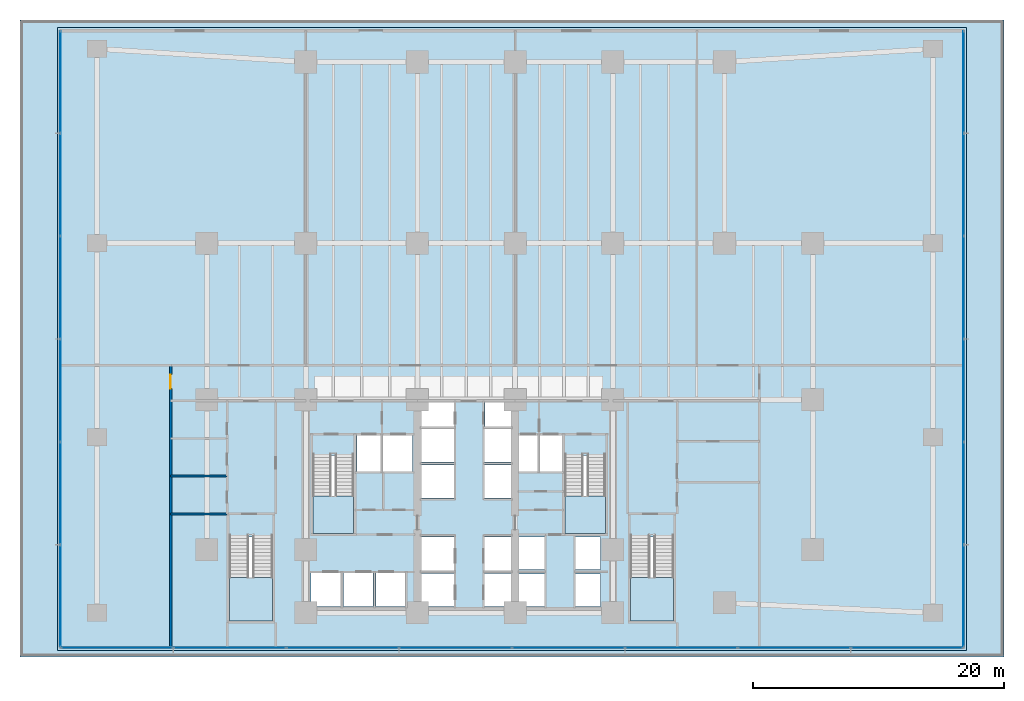
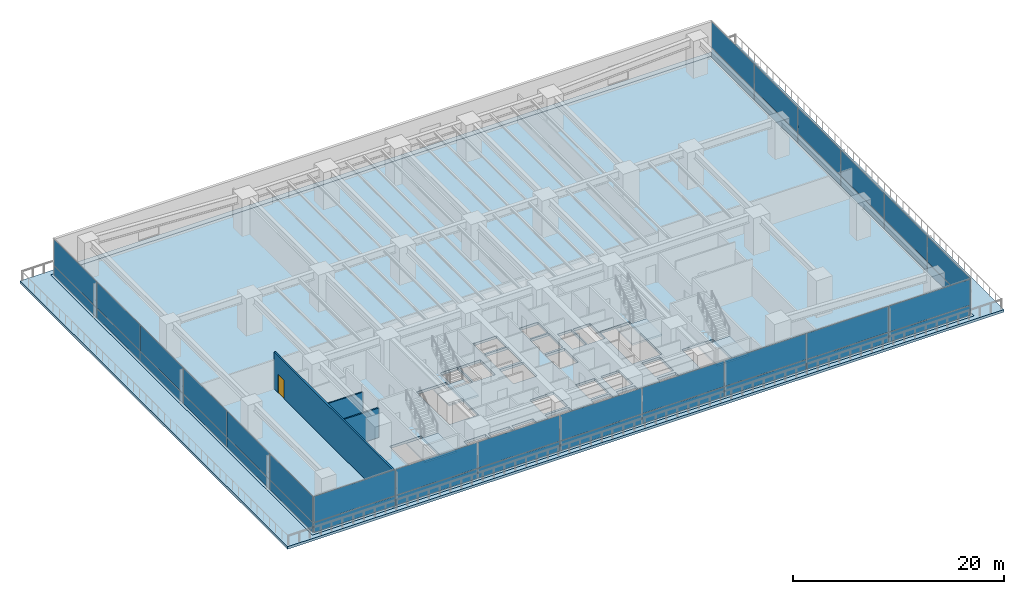
# One storey, part 9 of 28: 40 plates, 6 slabs, 3 walls, 1 door, 1 opening, 7 elements without a shape of their own.
"""IFC4 building model written with IfcOpenShell, lengths in metres."""

import ifcopenshell
import ifcopenshell.guid

model = None  # the IFC model being written
_history = None  # IfcOwnerHistory: only IFC2X3 demands one
_inside = {}  # id of a spatial element -> (the spatial element, [elements in it])
_under = {}  # id of a project, library or spatial element -> (it, [spatial elements below it])
_declared = {}  # id of a project -> (the project, [libraries it declares])
_typed = {}  # id of a type object -> (the type object, [elements of that type])
_made_of = {}  # id of a material, layer set ... -> (it, [elements and type objects made of it])


def new_model(schema):
    """Start an empty IFC model of exactly this schema.

    Asked for "IFC4X3", IfcOpenShell would pick the latest addendum, in which some entities
    have other attributes; the version numbers below select the first issue.
    IFC2X3 requires an IfcOwnerHistory on every rooted entity: one is made here for all.
    """
    global model, _history
    if schema == "IFC4X3":
        model = ifcopenshell.file(schema_version=(4, 3, 0, 0))
    else:
        model = ifcopenshell.file(schema=schema)
    _inside.clear()
    _under.clear()
    _declared.clear()
    _typed.clear()
    _made_of.clear()
    _history = None
    if model.schema == "IFC2X3":
        org = make("IfcOrganization", Name="unknown")
        user = make(
            "IfcPersonAndOrganization",
            ThePerson=make("IfcPerson", FamilyName="unknown"),
            TheOrganization=org,
        )
        app = make(
            "IfcApplication",
            ApplicationDeveloper=org,
            Version="unknown",
            ApplicationFullName="unknown",
            ApplicationIdentifier="unknown",
        )
        _history = make(
            "IfcOwnerHistory",
            OwningUser=user,
            OwningApplication=app,
            ChangeAction="ADDED",
            CreationDate=0,
        )
    return model


def make(cls, **values):
    """One entity of the class cls with the attributes given. An attribute that is None is left unset."""
    return model.create_entity(
        cls, **{name: value for name, value in values.items() if value is not None}
    )


def rooted(cls, **values):
    """An entity with a GlobalId (a new one), such as an element, a storey or a relation."""
    return make(cls, GlobalId=ifcopenshell.guid.new(), OwnerHistory=_history, **values)


def si_unit(unit_type, name, prefix=None):
    """IfcSIUnit, for example si_unit("LENGTHUNIT", "METRE", prefix="MILLI")."""
    return make("IfcSIUnit", UnitType=unit_type, Prefix=prefix, Name=name)


def assignment(units):
    """IfcUnitAssignment: the units of a project."""
    return None if units is None else make("IfcUnitAssignment", Units=units)


def point(xyz):
    """IfcCartesianPoint."""
    return None if xyz is None else make("IfcCartesianPoint", Coordinates=xyz)


def direction(xyz):
    """IfcDirection."""
    return None if xyz is None else make("IfcDirection", DirectionRatios=xyz)


def frame(location, z_axis=None, x_axis=None):
    """IfcAxis2Placement3D, a coordinate frame: its origin and axes. An axis left out is left unset."""
    return make(
        "IfcAxis2Placement3D",
        Location=point(location),
        Axis=direction(z_axis),
        RefDirection=direction(x_axis),
    )


def frame_2d(location, x_axis=None):
    """IfcAxis2Placement2D, a coordinate frame in the plane: its origin and x axis."""
    return make(
        "IfcAxis2Placement2D", Location=point(location), RefDirection=direction(x_axis)
    )


def origin():
    """The frame at (0, 0, 0) with its axes left unset."""
    return frame((0.0, 0.0, 0.0))


def origin_2d():
    """The frame at (0, 0) in the plane with its x axis left unset."""
    return frame_2d((0.0, 0.0))


def place(relative_to, where):
    """IfcLocalPlacement: puts the frame where relative to a parent placement (None: the world)."""
    return make(
        "IfcLocalPlacement", PlacementRelTo=relative_to, RelativePlacement=where
    )


def context(
    kind, dimensions, precision=None, world=None, true_north=None, identifier=None
):
    """IfcGeometricRepresentationContext, for example the 3D "Model" context."""
    return make(
        "IfcGeometricRepresentationContext",
        ContextIdentifier=identifier,
        ContextType=kind,
        CoordinateSpaceDimension=dimensions,
        Precision=precision,
        WorldCoordinateSystem=world,
        TrueNorth=true_north,
    )


def subcontext(parent, identifier, kind, view, scale=None):
    """IfcGeometricRepresentationSubContext, for example "Body" below "Model"."""
    return make(
        "IfcGeometricRepresentationSubContext",
        ContextIdentifier=identifier,
        ContextType=kind,
        ParentContext=parent,
        TargetScale=scale,
        TargetView=view,
    )


def project(units=None, contexts=None):
    """IfcProject with its units and contexts."""
    return rooted(
        "IfcProject",
        Name="project",
        RepresentationContexts=contexts,
        UnitsInContext=assignment(units),
    )


def spatial(cls, under=None, at=None, **own):
    """A site, building, storey or space (cls), placed at a placement, below another one or the project."""
    s = rooted(cls, ObjectPlacement=at, **own)
    if under is not None:
        _under.setdefault(under.id(), (under, []))[1].append(s)
    return s


def polyline(points):
    """IfcPolyline through the points."""
    return make("IfcPolyline", Points=[point(p) for p in points])


def profile(cls, at=None, kind="AREA", **sizes):
    """A parametric profile (cls). Its sizes go by their IFC names, for example OverallWidth=200.0."""
    return make(cls, ProfileType=kind, Position=at, **sizes)


def rectangle(**sizes):
    """IfcRectangleProfileDef."""
    return profile("IfcRectangleProfileDef", **sizes)


def outline(outer, holes=None, kind="AREA"):
    """IfcArbitraryClosedProfileDef: a profile drawn as a closed curve; with holes, ...WithVoids."""
    if holes is None:
        return make("IfcArbitraryClosedProfileDef", ProfileType=kind, OuterCurve=outer)
    return make(
        "IfcArbitraryProfileDefWithVoids",
        ProfileType=kind,
        OuterCurve=outer,
        InnerCurves=holes,
    )


def extrude(swept, where, along, depth):
    """IfcExtrudedAreaSolid: the profile swept, set in the frame where, extruded along a direction by depth."""
    return make(
        "IfcExtrudedAreaSolid",
        SweptArea=swept,
        Position=where,
        ExtrudedDirection=direction(along),
        Depth=depth,
    )


def shape(context_of_items, identifier, shape_type, items):
    """IfcShapeRepresentation: the items that make up one representation, for example the "Body"."""
    return make(
        "IfcShapeRepresentation",
        ContextOfItems=context_of_items,
        RepresentationIdentifier=identifier,
        RepresentationType=shape_type,
        Items=items,
    )


def material(Name=None, Category=None):
    """IfcMaterial."""
    return make("IfcMaterial", Name=Name, Category=Category)


def layer(
    of_material, thickness, ventilated=None, Name=None, Category=None, Priority=None
):
    """IfcMaterialLayer: one layer of a wall or slab, of a material (None: an air gap)."""
    return make(
        "IfcMaterialLayer",
        Material=of_material,
        LayerThickness=thickness,
        IsVentilated=ventilated,
        Name=Name,
        Category=Category,
        Priority=Priority,
    )


def layer_set(layers, Name=None):
    """IfcMaterialLayerSet."""
    return make("IfcMaterialLayerSet", MaterialLayers=layers, LayerSetName=Name)


def made_of(thing, what):
    """Note that an element or type object is made of a material, layer set ...; save() writes the relation."""
    if what is not None:
        _made_of.setdefault(what.id(), (what, []))[1].append(thing)
    return thing


def type_object(cls, material=None, **own):
    """A type object (cls), such as IfcWallType, which elements share."""
    return made_of(rooted(cls, **own), material)


def element(
    cls,
    number,
    at=None,
    inside=None,
    cuts=None,
    type_object=None,
    material=None,
    context=None,
    identifier="Body",
    shape_type=None,
    held_by="IfcProductDefinitionShape",
    body=None,
    shapes=None,
    **own,
):
    """One element of the class cls, such as IfcWall. Its Tag is "e" and its number.

    at: its placement. inside: the storey or other place that contains it. cuts: it is an
    opening in that element (IfcRelVoidsElement). A single representation is given by context,
    identifier, shape_type and body (its items); several are given by shapes. held_by: the class
    of the entity that holds the representations. save() writes the other relations.
    """
    e = rooted(cls, Tag="e%d" % number, ObjectPlacement=at, **own)
    if body is not None:
        shapes = [shape(context, identifier, shape_type, body)]
    if shapes is not None:
        e.Representation = make(held_by, Representations=shapes)
    if inside is not None:
        _inside.setdefault(inside.id(), (inside, []))[1].append(e)
    if cuts is not None:
        rooted(
            "IfcRelVoidsElement", RelatingBuildingElement=cuts, RelatedOpeningElement=e
        )
    if type_object is not None:
        _typed.setdefault(type_object.id(), (type_object, []))[1].append(e)
    return made_of(e, material)


def fill(opening, filler):
    """IfcRelFillsElement: the door or window that sits in an opening."""
    return rooted(
        "IfcRelFillsElement",
        RelatingOpeningElement=opening,
        RelatedBuildingElement=filler,
    )


def aggregate(whole, parts):
    """IfcRelAggregates: a whole, such as a stair, and the parts it consists of."""
    return rooted("IfcRelAggregates", RelatingObject=whole, RelatedObjects=parts)


def save(model, path):
    """Write the relations noted so far, then the file.

    IfcRelAggregates (storeys below a building ...), IfcRelContainedInSpatialStructure (elements
    in a storey), IfcRelDefinesByType, IfcRelAssociatesMaterial and IfcRelDeclares: one each for
    every whole, place, type object, material and project.
    """
    for whole, parts in _under.values():
        aggregate(whole, parts)
    for where, things in _inside.values():
        rooted(
            "IfcRelContainedInSpatialStructure",
            RelatedElements=things,
            RelatingStructure=where,
        )
    for kind, things in _typed.values():
        rooted("IfcRelDefinesByType", RelatedObjects=things, RelatingType=kind)
    for what, things in _made_of.values():
        rooted("IfcRelAssociatesMaterial", RelatedObjects=things, RelatingMaterial=what)
    for by, libraries in _declared.values():
        rooted("IfcRelDeclares", RelatingContext=by, RelatedDefinitions=libraries)
    model.write(path)


model = new_model("IFC4")

# Units and contexts
model_context = context("Model", 3, precision=1e-05, world=origin(), true_north=direction((0.0, 1.0)))
body_context = subcontext(model_context, "Body", "Model", "MODEL_VIEW")
ifc_project = project(units=[si_unit("LENGTHUNIT", "METRE"), si_unit("AREAUNIT", "SQUARE_METRE"), si_unit("VOLUMEUNIT", "CUBIC_METRE"), si_unit("PLANEANGLEUNIT", "RADIAN"), si_unit("MASSUNIT", "GRAM", prefix="KILO")], contexts=[model_context])

# Site, building, storey
site_placement = place(None, origin())
site = spatial("IfcSite", under=ifc_project, at=site_placement, CompositionType="ELEMENT")
building_placement = place(site_placement, origin())
building = spatial("IfcBuilding", under=site, at=building_placement, Name="Qalmaran Belvedere Hotel", CompositionType="ELEMENT")
storey_placement = place(building_placement, frame((0.0, 0.0, 10.0)))
storey = spatial("IfcBuildingStorey", under=building, at=storey_placement, Name="L02", CompositionType="ELEMENT", Elevation=10.0)

# Curtain wall, plates
ifc_material_1 = material(Name="Anodised Bronze Aluminium", Category="aluminium")
ifc_layer_1 = layer(ifc_material_1, 0.219970703125, Name="Anodised Bronze Aluminium")
ifc_layer_set_1 = layer_set([ifc_layer_1], Name="Anodised Bronze Aluminium")
curtain_wall_type = type_object("IfcCurtainWallType", Name="CW1-PODIUM-BRONZE", PredefinedType="NOTDEFINED", material=ifc_layer_set_1)
curtain_wall_1_placement = place(storey_placement, origin())
curtain_wall_1 = element("IfcCurtainWall", 1, at=curtain_wall_1_placement, inside=storey, type_object=curtain_wall_type, Name="L02 Curtain Wall CW1", PredefinedType="NOTDEFINED")
ifc_material_2 = material(Name="Anodised Bronze Spandrel Panel")
ifc_layer_2 = layer(ifc_material_2, 0.035888671875, Name="Anodised Bronze Spandrel Panel")
ifc_layer_set_2 = layer_set([ifc_layer_2], Name="Anodised Bronze Spandrel Panel")
plate_type_1 = type_object("IfcPlateType", Name="CWP-SPANDREL-36", PredefinedType="CURTAIN_PANEL", material=ifc_layer_set_2)
plate_1_placement = place(storey_placement, frame((5.242431640625, 0.719970703125, 0.06982421875), z_axis=(0.0, 0.0, 1.0), x_axis=(1.0, 0.0, 0.0)))
plate_1 = element("IfcPlate", 2, at=plate_1_placement, type_object=plate_type_1, Name="CW1 panel 1.1", PredefinedType="CURTAIN_PANEL", context=body_context, shape_type="SweptSolid", body=[
    extrude(rectangle(XDim=8.89501953125, YDim=0.035888671875, at=origin_2d()), origin(), (0.0, 0.0, 1.0), 1.09912109375),
])
plate_2_placement = place(storey_placement, frame((14.231201171875, 0.719970703125, 0.06982421875), z_axis=(0.0, 0.0, 1.0), x_axis=(1.0, 0.0, 0.0)))
plate_2 = element("IfcPlate", 3, at=plate_2_placement, type_object=plate_type_1, Name="CW1 panel 2.1", PredefinedType="CURTAIN_PANEL", context=body_context, shape_type="SweptSolid", body=[
    extrude(rectangle(XDim=8.9326171875, YDim=0.035888671875, at=origin_2d()), origin(), (0.0, 0.0, 1.0), 1.09912109375),
])
plate_3_placement = place(storey_placement, frame((23.23876953125, 0.719970703125, 0.06982421875), z_axis=(0.0, 0.0, 1.0), x_axis=(1.0, 0.0, 0.0)))
plate_3 = element("IfcPlate", 4, at=plate_3_placement, type_object=plate_type_1, Name="CW1 panel 3.1", PredefinedType="CURTAIN_PANEL", context=body_context, shape_type="SweptSolid", body=[
    extrude(rectangle(XDim=8.9326171875, YDim=0.035888671875, at=origin_2d()), origin(), (0.0, 0.0, 1.0), 1.09912109375),
])
plate_4_placement = place(storey_placement, frame((32.246337890625, 0.719970703125, 0.06982421875), z_axis=(0.0, 0.0, 1.0), x_axis=(1.0, 0.0, 0.0)))
plate_4 = element("IfcPlate", 5, at=plate_4_placement, type_object=plate_type_1, Name="CW1 panel 4.1", PredefinedType="CURTAIN_PANEL", context=body_context, shape_type="SweptSolid", body=[
    extrude(rectangle(XDim=8.9326171875, YDim=0.035888671875, at=origin_2d()), origin(), (0.0, 0.0, 1.0), 1.09912109375),
])
plate_5_placement = place(storey_placement, frame((41.253662109375, 0.719970703125, 0.06982421875), z_axis=(0.0, 0.0, 1.0), x_axis=(1.0, 0.0, 0.0)))
plate_5 = element("IfcPlate", 6, at=plate_5_placement, type_object=plate_type_1, Name="CW1 panel 5.1", PredefinedType="CURTAIN_PANEL", context=body_context, shape_type="SweptSolid", body=[
    extrude(rectangle(XDim=8.9326171875, YDim=0.035888671875, at=origin_2d()), origin(), (0.0, 0.0, 1.0), 1.09912109375),
])
plate_6_placement = place(storey_placement, frame((50.26123046875, 0.719970703125, 0.06982421875), z_axis=(0.0, 0.0, 1.0), x_axis=(1.0, 0.0, 0.0)))
plate_6 = element("IfcPlate", 7, at=plate_6_placement, type_object=plate_type_1, Name="CW1 panel 6.1", PredefinedType="CURTAIN_PANEL", context=body_context, shape_type="SweptSolid", body=[
    extrude(rectangle(XDim=8.9326171875, YDim=0.035888671875, at=origin_2d()), origin(), (0.0, 0.0, 1.0), 1.09912109375),
])
plate_7_placement = place(storey_placement, frame((59.268798828125, 0.719970703125, 0.06982421875), z_axis=(0.0, 0.0, 1.0), x_axis=(1.0, 0.0, 0.0)))
plate_7 = element("IfcPlate", 8, at=plate_7_placement, type_object=plate_type_1, Name="CW1 panel 7.1", PredefinedType="CURTAIN_PANEL", context=body_context, shape_type="SweptSolid", body=[
    extrude(rectangle(XDim=8.9326171875, YDim=0.035888671875, at=origin_2d()), origin(), (0.0, 0.0, 1.0), 1.09912109375),
])
plate_8_placement = place(storey_placement, frame((68.257568359375, 0.719970703125, 0.06982421875), z_axis=(0.0, 0.0, 1.0), x_axis=(1.0, 0.0, 0.0)))
plate_8 = element("IfcPlate", 9, at=plate_8_placement, type_object=plate_type_1, Name="CW1 panel 8.1", PredefinedType="CURTAIN_PANEL", context=body_context, shape_type="SweptSolid", body=[
    extrude(rectangle(XDim=8.89501953125, YDim=0.035888671875, at=origin_2d()), origin(), (0.0, 0.0, 1.0), 1.09912109375),
])

curtain_wall_2_placement = place(storey_placement, origin())
curtain_wall_2 = element("IfcCurtainWall", 10, at=curtain_wall_2_placement, inside=storey, type_object=curtain_wall_type, Name="L02 Curtain Wall CW1", PredefinedType="NOTDEFINED")
plate_9_placement = place(storey_placement, frame((72.780029296875, 4.84375, 0.06982421875), z_axis=(0.0, 0.0, 1.0), x_axis=(0.0, 1.0, 0.0)))
plate_9 = element("IfcPlate", 11, at=plate_9_placement, type_object=plate_type_1, Name="CW1 panel 1.1", PredefinedType="CURTAIN_PANEL", context=body_context, shape_type="SweptSolid", body=[
    extrude(rectangle(XDim=8.097412109375, YDim=0.035888671875, at=origin_2d()), origin(), (0.0, 0.0, 1.0), 1.09912109375),
])
plate_10_placement = place(storey_placement, frame((72.780029296875, 13.034912109375, 0.06982421875), z_axis=(0.0, 0.0, 1.0), x_axis=(0.0, 1.0, 0.0)))
plate_10 = element("IfcPlate", 12, at=plate_10_placement, type_object=plate_type_1, Name="CW1 panel 2.1", PredefinedType="CURTAIN_PANEL", context=body_context, shape_type="SweptSolid", body=[
    extrude(rectangle(XDim=8.135009765625, YDim=0.035888671875, at=origin_2d()), origin(), (0.0, 0.0, 1.0), 1.09912109375),
])
plate_11_placement = place(storey_placement, frame((72.780029296875, 21.2451171875, 0.06982421875), z_axis=(0.0, 0.0, 1.0), x_axis=(0.0, 1.0, 0.0)))
plate_11 = element("IfcPlate", 13, at=plate_11_placement, type_object=plate_type_1, Name="CW1 panel 3.1", PredefinedType="CURTAIN_PANEL", context=body_context, shape_type="SweptSolid", body=[
    extrude(rectangle(XDim=8.135009765625, YDim=0.035888671875, at=origin_2d()), origin(), (0.0, 0.0, 1.0), 1.09912109375),
])
plate_12_placement = place(storey_placement, frame((72.780029296875, 29.455078125, 0.06982421875), z_axis=(0.0, 0.0, 1.0), x_axis=(0.0, 1.0, 0.0)))
plate_12 = element("IfcPlate", 14, at=plate_12_placement, type_object=plate_type_1, Name="CW1 panel 4.1", PredefinedType="CURTAIN_PANEL", context=body_context, shape_type="SweptSolid", body=[
    extrude(rectangle(XDim=8.135009765625, YDim=0.035888671875, at=origin_2d()), origin(), (0.0, 0.0, 1.0), 1.09912109375),
])
plate_13_placement = place(storey_placement, frame((72.780029296875, 37.6650390625, 0.06982421875), z_axis=(0.0, 0.0, 1.0), x_axis=(0.0, 1.0, 0.0)))
plate_13 = element("IfcPlate", 15, at=plate_13_placement, type_object=plate_type_1, Name="CW1 panel 5.1", PredefinedType="CURTAIN_PANEL", context=body_context, shape_type="SweptSolid", body=[
    extrude(rectangle(XDim=8.135009765625, YDim=0.035888671875, at=origin_2d()), origin(), (0.0, 0.0, 1.0), 1.09912109375),
])
plate_14_placement = place(storey_placement, frame((72.780029296875, 45.856201171875, 0.06982421875), z_axis=(0.0, 0.0, 1.0), x_axis=(0.0, 1.0, 0.0)))
plate_14 = element("IfcPlate", 16, at=plate_14_placement, type_object=plate_type_1, Name="CW1 panel 6.1", PredefinedType="CURTAIN_PANEL", context=body_context, shape_type="SweptSolid", body=[
    extrude(rectangle(XDim=8.097412109375, YDim=0.035888671875, at=origin_2d()), origin(), (0.0, 0.0, 1.0), 1.09912109375),
])

curtain_wall_3_placement = place(storey_placement, origin())
curtain_wall_3 = element("IfcCurtainWall", 17, at=curtain_wall_3_placement, inside=storey, type_object=curtain_wall_type, Name="L02 Curtain Wall CW1", PredefinedType="NOTDEFINED")
plate_15_placement = place(storey_placement, frame((0.719970703125, 45.856201171875, 0.06982421875), z_axis=(0.0, 0.0, 1.0), x_axis=(0.0, -1.0, 0.0)))
plate_15 = element("IfcPlate", 18, at=plate_15_placement, type_object=plate_type_1, Name="CW1 panel 1.1", PredefinedType="CURTAIN_PANEL", context=body_context, shape_type="SweptSolid", body=[
    extrude(rectangle(XDim=8.097412109375, YDim=0.035888671875, at=origin_2d()), origin(), (0.0, 0.0, 1.0), 1.09912109375),
])
plate_16_placement = place(storey_placement, frame((0.719970703125, 37.6650390625, 0.06982421875), z_axis=(0.0, 0.0, 1.0), x_axis=(0.0, -1.0, 0.0)))
plate_16 = element("IfcPlate", 19, at=plate_16_placement, type_object=plate_type_1, Name="CW1 panel 2.1", PredefinedType="CURTAIN_PANEL", context=body_context, shape_type="SweptSolid", body=[
    extrude(rectangle(XDim=8.135009765625, YDim=0.035888671875, at=origin_2d()), origin(), (0.0, 0.0, 1.0), 1.09912109375),
])
plate_17_placement = place(storey_placement, frame((0.719970703125, 29.455078125, 0.06982421875), z_axis=(0.0, 0.0, 1.0), x_axis=(0.0, -1.0, 0.0)))
plate_17 = element("IfcPlate", 20, at=plate_17_placement, type_object=plate_type_1, Name="CW1 panel 3.1", PredefinedType="CURTAIN_PANEL", context=body_context, shape_type="SweptSolid", body=[
    extrude(rectangle(XDim=8.135009765625, YDim=0.035888671875, at=origin_2d()), origin(), (0.0, 0.0, 1.0), 1.09912109375),
])
plate_18_placement = place(storey_placement, frame((0.719970703125, 21.2451171875, 0.06982421875), z_axis=(0.0, 0.0, 1.0), x_axis=(0.0, -1.0, 0.0)))
plate_18 = element("IfcPlate", 21, at=plate_18_placement, type_object=plate_type_1, Name="CW1 panel 4.1", PredefinedType="CURTAIN_PANEL", context=body_context, shape_type="SweptSolid", body=[
    extrude(rectangle(XDim=8.135009765625, YDim=0.035888671875, at=origin_2d()), origin(), (0.0, 0.0, 1.0), 1.09912109375),
])
plate_19_placement = place(storey_placement, frame((0.719970703125, 13.034912109375, 0.06982421875), z_axis=(0.0, 0.0, 1.0), x_axis=(0.0, -1.0, 0.0)))
plate_19 = element("IfcPlate", 22, at=plate_19_placement, type_object=plate_type_1, Name="CW1 panel 5.1", PredefinedType="CURTAIN_PANEL", context=body_context, shape_type="SweptSolid", body=[
    extrude(rectangle(XDim=8.135009765625, YDim=0.035888671875, at=origin_2d()), origin(), (0.0, 0.0, 1.0), 1.09912109375),
])
plate_20_placement = place(storey_placement, frame((0.719970703125, 4.84375, 0.06982421875), z_axis=(0.0, 0.0, 1.0), x_axis=(0.0, -1.0, 0.0)))
plate_20 = element("IfcPlate", 23, at=plate_20_placement, type_object=plate_type_1, Name="CW1 panel 6.1", PredefinedType="CURTAIN_PANEL", context=body_context, shape_type="SweptSolid", body=[
    extrude(rectangle(XDim=8.097412109375, YDim=0.035888671875, at=origin_2d()), origin(), (0.0, 0.0, 1.0), 1.09912109375),
])

# Plate
ifc_material_3 = material(Name="Solar-Control Double Glazing", Category="glass")
ifc_layer_3 = layer(ifc_material_3, 0.028076171875, Name="Solar-Control Double Glazing")
ifc_layer_set_3 = layer_set([ifc_layer_3], Name="Solar-Control Double Glazing")
plate_type_2 = type_object("IfcPlateType", Name="CWP-VISION-28", PredefinedType="CURTAIN_PANEL", material=ifc_layer_set_3)
plate_21_placement = place(storey_placement, frame((5.242431640625, 0.719970703125, 1.2392578125), z_axis=(0.0, 0.0, 1.0), x_axis=(1.0, 0.0, 0.0)))
plate_21 = element("IfcPlate", 24, at=plate_21_placement, type_object=plate_type_2, Name="CW1 panel 1.2", PredefinedType="CURTAIN_PANEL", context=body_context, shape_type="SweptSolid", body=[
    extrude(rectangle(XDim=8.89501953125, YDim=0.028076171875, at=origin_2d()), origin(), (0.0, 0.0, 1.0), 2.990966796875),
])

plate_22_placement = place(storey_placement, frame((14.231201171875, 0.719970703125, 1.2392578125), z_axis=(0.0, 0.0, 1.0), x_axis=(1.0, 0.0, 0.0)))
plate_22 = element("IfcPlate", 25, at=plate_22_placement, type_object=plate_type_2, Name="CW1 panel 2.2", PredefinedType="CURTAIN_PANEL", context=body_context, shape_type="SweptSolid", body=[
    extrude(rectangle(XDim=8.9326171875, YDim=0.028076171875, at=origin_2d()), origin(), (0.0, 0.0, 1.0), 2.990966796875),
])

plate_23_placement = place(storey_placement, frame((23.23876953125, 0.719970703125, 1.2392578125), z_axis=(0.0, 0.0, 1.0), x_axis=(1.0, 0.0, 0.0)))
plate_23 = element("IfcPlate", 26, at=plate_23_placement, type_object=plate_type_2, Name="CW1 panel 3.2", PredefinedType="CURTAIN_PANEL", context=body_context, shape_type="SweptSolid", body=[
    extrude(rectangle(XDim=8.9326171875, YDim=0.028076171875, at=origin_2d()), origin(), (0.0, 0.0, 1.0), 2.990966796875),
])

plate_24_placement = place(storey_placement, frame((32.246337890625, 0.719970703125, 1.2392578125), z_axis=(0.0, 0.0, 1.0), x_axis=(1.0, 0.0, 0.0)))
plate_24 = element("IfcPlate", 27, at=plate_24_placement, type_object=plate_type_2, Name="CW1 panel 4.2", PredefinedType="CURTAIN_PANEL", context=body_context, shape_type="SweptSolid", body=[
    extrude(rectangle(XDim=8.9326171875, YDim=0.028076171875, at=origin_2d()), origin(), (0.0, 0.0, 1.0), 2.990966796875),
])

plate_25_placement = place(storey_placement, frame((41.253662109375, 0.719970703125, 1.2392578125), z_axis=(0.0, 0.0, 1.0), x_axis=(1.0, 0.0, 0.0)))
plate_25 = element("IfcPlate", 28, at=plate_25_placement, type_object=plate_type_2, Name="CW1 panel 5.2", PredefinedType="CURTAIN_PANEL", context=body_context, shape_type="SweptSolid", body=[
    extrude(rectangle(XDim=8.9326171875, YDim=0.028076171875, at=origin_2d()), origin(), (0.0, 0.0, 1.0), 2.990966796875),
])

plate_26_placement = place(storey_placement, frame((50.26123046875, 0.719970703125, 1.2392578125), z_axis=(0.0, 0.0, 1.0), x_axis=(1.0, 0.0, 0.0)))
plate_26 = element("IfcPlate", 29, at=plate_26_placement, type_object=plate_type_2, Name="CW1 panel 6.2", PredefinedType="CURTAIN_PANEL", context=body_context, shape_type="SweptSolid", body=[
    extrude(rectangle(XDim=8.9326171875, YDim=0.028076171875, at=origin_2d()), origin(), (0.0, 0.0, 1.0), 2.990966796875),
])

plate_27_placement = place(storey_placement, frame((59.268798828125, 0.719970703125, 1.2392578125), z_axis=(0.0, 0.0, 1.0), x_axis=(1.0, 0.0, 0.0)))
plate_27 = element("IfcPlate", 30, at=plate_27_placement, type_object=plate_type_2, Name="CW1 panel 7.2", PredefinedType="CURTAIN_PANEL", context=body_context, shape_type="SweptSolid", body=[
    extrude(rectangle(XDim=8.9326171875, YDim=0.028076171875, at=origin_2d()), origin(), (0.0, 0.0, 1.0), 2.990966796875),
])

plate_28_placement = place(storey_placement, frame((68.257568359375, 0.719970703125, 1.2392578125), z_axis=(0.0, 0.0, 1.0), x_axis=(1.0, 0.0, 0.0)))
plate_28 = element("IfcPlate", 31, at=plate_28_placement, type_object=plate_type_2, Name="CW1 panel 8.2", PredefinedType="CURTAIN_PANEL", context=body_context, shape_type="SweptSolid", body=[
    extrude(rectangle(XDim=8.89501953125, YDim=0.028076171875, at=origin_2d()), origin(), (0.0, 0.0, 1.0), 2.990966796875),
])

aggregate(curtain_wall_1, [plate_1, plate_21, plate_2, plate_22, plate_3, plate_23, plate_4, plate_24, plate_5, plate_25, plate_6, plate_26, plate_7, plate_27, plate_8, plate_28])

plate_29_placement = place(storey_placement, frame((72.780029296875, 4.84375, 1.2392578125), z_axis=(0.0, 0.0, 1.0), x_axis=(0.0, 1.0, 0.0)))
plate_29 = element("IfcPlate", 32, at=plate_29_placement, type_object=plate_type_2, Name="CW1 panel 1.2", PredefinedType="CURTAIN_PANEL", context=body_context, shape_type="SweptSolid", body=[
    extrude(rectangle(XDim=8.097412109375, YDim=0.028076171875, at=origin_2d()), origin(), (0.0, 0.0, 1.0), 2.990966796875),
])

plate_30_placement = place(storey_placement, frame((72.780029296875, 13.034912109375, 1.2392578125), z_axis=(0.0, 0.0, 1.0), x_axis=(0.0, 1.0, 0.0)))
plate_30 = element("IfcPlate", 33, at=plate_30_placement, type_object=plate_type_2, Name="CW1 panel 2.2", PredefinedType="CURTAIN_PANEL", context=body_context, shape_type="SweptSolid", body=[
    extrude(rectangle(XDim=8.135009765625, YDim=0.028076171875, at=origin_2d()), origin(), (0.0, 0.0, 1.0), 2.990966796875),
])

plate_31_placement = place(storey_placement, frame((72.780029296875, 21.2451171875, 1.2392578125), z_axis=(0.0, 0.0, 1.0), x_axis=(0.0, 1.0, 0.0)))
plate_31 = element("IfcPlate", 34, at=plate_31_placement, type_object=plate_type_2, Name="CW1 panel 3.2", PredefinedType="CURTAIN_PANEL", context=body_context, shape_type="SweptSolid", body=[
    extrude(rectangle(XDim=8.135009765625, YDim=0.028076171875, at=origin_2d()), origin(), (0.0, 0.0, 1.0), 2.990966796875),
])

plate_32_placement = place(storey_placement, frame((72.780029296875, 29.455078125, 1.2392578125), z_axis=(0.0, 0.0, 1.0), x_axis=(0.0, 1.0, 0.0)))
plate_32 = element("IfcPlate", 35, at=plate_32_placement, type_object=plate_type_2, Name="CW1 panel 4.2", PredefinedType="CURTAIN_PANEL", context=body_context, shape_type="SweptSolid", body=[
    extrude(rectangle(XDim=8.135009765625, YDim=0.028076171875, at=origin_2d()), origin(), (0.0, 0.0, 1.0), 2.990966796875),
])

plate_33_placement = place(storey_placement, frame((72.780029296875, 37.6650390625, 1.2392578125), z_axis=(0.0, 0.0, 1.0), x_axis=(0.0, 1.0, 0.0)))
plate_33 = element("IfcPlate", 36, at=plate_33_placement, type_object=plate_type_2, Name="CW1 panel 5.2", PredefinedType="CURTAIN_PANEL", context=body_context, shape_type="SweptSolid", body=[
    extrude(rectangle(XDim=8.135009765625, YDim=0.028076171875, at=origin_2d()), origin(), (0.0, 0.0, 1.0), 2.990966796875),
])

plate_34_placement = place(storey_placement, frame((72.780029296875, 45.856201171875, 1.2392578125), z_axis=(0.0, 0.0, 1.0), x_axis=(0.0, 1.0, 0.0)))
plate_34 = element("IfcPlate", 37, at=plate_34_placement, type_object=plate_type_2, Name="CW1 panel 6.2", PredefinedType="CURTAIN_PANEL", context=body_context, shape_type="SweptSolid", body=[
    extrude(rectangle(XDim=8.097412109375, YDim=0.028076171875, at=origin_2d()), origin(), (0.0, 0.0, 1.0), 2.990966796875),
])

aggregate(curtain_wall_2, [plate_9, plate_29, plate_10, plate_30, plate_11, plate_31, plate_12, plate_32, plate_13, plate_33, plate_14, plate_34])

plate_35_placement = place(storey_placement, frame((0.719970703125, 45.856201171875, 1.2392578125), z_axis=(0.0, 0.0, 1.0), x_axis=(0.0, -1.0, 0.0)))
plate_35 = element("IfcPlate", 38, at=plate_35_placement, type_object=plate_type_2, Name="CW1 panel 1.2", PredefinedType="CURTAIN_PANEL", context=body_context, shape_type="SweptSolid", body=[
    extrude(rectangle(XDim=8.097412109375, YDim=0.028076171875, at=origin_2d()), origin(), (0.0, 0.0, 1.0), 2.990966796875),
])

plate_36_placement = place(storey_placement, frame((0.719970703125, 37.6650390625, 1.2392578125), z_axis=(0.0, 0.0, 1.0), x_axis=(0.0, -1.0, 0.0)))
plate_36 = element("IfcPlate", 39, at=plate_36_placement, type_object=plate_type_2, Name="CW1 panel 2.2", PredefinedType="CURTAIN_PANEL", context=body_context, shape_type="SweptSolid", body=[
    extrude(rectangle(XDim=8.135009765625, YDim=0.028076171875, at=origin_2d()), origin(), (0.0, 0.0, 1.0), 2.990966796875),
])

plate_37_placement = place(storey_placement, frame((0.719970703125, 29.455078125, 1.2392578125), z_axis=(0.0, 0.0, 1.0), x_axis=(0.0, -1.0, 0.0)))
plate_37 = element("IfcPlate", 40, at=plate_37_placement, type_object=plate_type_2, Name="CW1 panel 3.2", PredefinedType="CURTAIN_PANEL", context=body_context, shape_type="SweptSolid", body=[
    extrude(rectangle(XDim=8.135009765625, YDim=0.028076171875, at=origin_2d()), origin(), (0.0, 0.0, 1.0), 2.990966796875),
])

plate_38_placement = place(storey_placement, frame((0.719970703125, 21.2451171875, 1.2392578125), z_axis=(0.0, 0.0, 1.0), x_axis=(0.0, -1.0, 0.0)))
plate_38 = element("IfcPlate", 41, at=plate_38_placement, type_object=plate_type_2, Name="CW1 panel 4.2", PredefinedType="CURTAIN_PANEL", context=body_context, shape_type="SweptSolid", body=[
    extrude(rectangle(XDim=8.135009765625, YDim=0.028076171875, at=origin_2d()), origin(), (0.0, 0.0, 1.0), 2.990966796875),
])

plate_39_placement = place(storey_placement, frame((0.719970703125, 13.034912109375, 1.2392578125), z_axis=(0.0, 0.0, 1.0), x_axis=(0.0, -1.0, 0.0)))
plate_39 = element("IfcPlate", 42, at=plate_39_placement, type_object=plate_type_2, Name="CW1 panel 5.2", PredefinedType="CURTAIN_PANEL", context=body_context, shape_type="SweptSolid", body=[
    extrude(rectangle(XDim=8.135009765625, YDim=0.028076171875, at=origin_2d()), origin(), (0.0, 0.0, 1.0), 2.990966796875),
])

plate_40_placement = place(storey_placement, frame((0.719970703125, 4.84375, 1.2392578125), z_axis=(0.0, 0.0, 1.0), x_axis=(0.0, -1.0, 0.0)))
plate_40 = element("IfcPlate", 43, at=plate_40_placement, type_object=plate_type_2, Name="CW1 panel 6.2", PredefinedType="CURTAIN_PANEL", context=body_context, shape_type="SweptSolid", body=[
    extrude(rectangle(XDim=8.097412109375, YDim=0.028076171875, at=origin_2d()), origin(), (0.0, 0.0, 1.0), 2.990966796875),
])

aggregate(curtain_wall_3, [plate_15, plate_35, plate_16, plate_36, plate_17, plate_37, plate_18, plate_38, plate_19, plate_39, plate_20, plate_40])

# Slab
ifc_material_4 = material(Name="Concrete C40/50", Category="concrete")
ifc_layer_4 = layer(ifc_material_4, 0.300048828125, Name="Concrete C40/50")
ifc_layer_set_4 = layer_set([ifc_layer_4], Name="Concrete C40/50")
slab_type_1 = type_object("IfcSlabType", Name="SLB-POD-300", PredefinedType="FLOOR", material=ifc_layer_set_4)
slab_1_placement = place(storey_placement, frame((0.0, 0.0, -0.300048828125)))
element("IfcSlab", 44, at=slab_1_placement, inside=storey, type_object=slab_type_1, Name="L02 Structural Floor Slab", PredefinedType="FLOOR", context=body_context, shape_type="SweptSolid", body=[
    extrude(outline(polyline([(0.5, 0.5), (73.0, 0.5), (73.0, 50.199951171875), (0.5, 50.199951171875), (0.5, 0.5)]), holes=[polyline([(20.8798828125, 9.85009765625), (24.1201171875, 9.85009765625), (24.1201171875, 16.0400390625), (20.8798828125, 16.0400390625), (20.8798828125, 9.85009765625)]), polyline([(40.9599609375, 9.85009765625), (44.199951171875, 9.85009765625), (44.199951171875, 16.0400390625), (40.9599609375, 16.0400390625), (40.9599609375, 9.85009765625)]), polyline([(14.199951171875, 2.85009765625), (17.639892578125, 2.85009765625), (17.639892578125, 9.550048828125), (14.199951171875, 9.550048828125), (14.199951171875, 2.85009765625)]), polyline([(46.199951171875, 2.85009765625), (49.639892578125, 2.85009765625), (49.639892578125, 9.550048828125), (46.199951171875, 9.550048828125), (46.199951171875, 2.85009765625)]), polyline([(29.544921875, 4.0), (32.14990234375, 4.0), (32.14990234375, 6.64990234375), (29.544921875, 6.64990234375), (29.544921875, 4.0)]), polyline([(29.544921875, 6.89990234375), (32.14990234375, 6.89990234375), (32.14990234375, 9.550048828125), (29.544921875, 9.550048828125), (29.544921875, 6.89990234375)]), polyline([(34.550048828125, 4.0), (36.655029296875, 4.0), (36.655029296875, 6.64990234375), (34.550048828125, 6.64990234375), (34.550048828125, 4.0)]), polyline([(34.550048828125, 6.89990234375), (36.655029296875, 6.89990234375), (36.655029296875, 9.550048828125), (34.550048828125, 9.550048828125), (34.550048828125, 6.89990234375)]), polyline([(29.544921875, 12.64990234375), (32.14990234375, 12.64990234375), (32.14990234375, 15.300048828125), (29.544921875, 15.300048828125), (29.544921875, 12.64990234375)]), polyline([(29.544921875, 15.550048828125), (32.14990234375, 15.550048828125), (32.14990234375, 18.199951171875), (29.544921875, 18.199951171875), (29.544921875, 15.550048828125)]), polyline([(34.550048828125, 12.64990234375), (36.655029296875, 12.64990234375), (36.655029296875, 15.300048828125), (34.550048828125, 15.300048828125), (34.550048828125, 12.64990234375)]), polyline([(34.550048828125, 15.550048828125), (36.655029296875, 15.550048828125), (36.655029296875, 18.199951171875), (34.550048828125, 18.199951171875), (34.550048828125, 15.550048828125)]), polyline([(37.300048828125, 4.0), (39.35009765625, 4.0), (39.35009765625, 6.60009765625), (37.300048828125, 6.60009765625), (37.300048828125, 4.0)]), polyline([(37.300048828125, 6.949951171875), (39.35009765625, 6.949951171875), (39.35009765625, 9.550048828125), (37.300048828125, 9.550048828125), (37.300048828125, 6.949951171875)]), polyline([(41.800048828125, 4.0), (43.800048828125, 4.0), (43.800048828125, 6.60009765625), (41.800048828125, 6.60009765625), (41.800048828125, 4.0)]), polyline([(41.800048828125, 6.949951171875), (43.800048828125, 6.949951171875), (43.800048828125, 9.550048828125), (41.800048828125, 9.550048828125), (41.800048828125, 6.949951171875)]), polyline([(20.699951171875, 4.0), (23.050048828125, 4.0), (23.050048828125, 6.699951171875), (20.699951171875, 6.699951171875), (20.699951171875, 4.0)]), polyline([(23.300048828125, 4.0), (25.64990234375, 4.0), (25.64990234375, 6.699951171875), (23.300048828125, 6.699951171875), (23.300048828125, 4.0)]), polyline([(25.89990234375, 4.0), (28.25, 4.0), (28.25, 6.699951171875), (25.89990234375, 6.699951171875), (25.89990234375, 4.0)]), polyline([(24.39990234375, 14.800048828125), (26.300048828125, 14.800048828125), (26.300048828125, 17.64990234375), (24.39990234375, 17.64990234375), (24.39990234375, 14.800048828125)]), polyline([(38.949951171875, 14.800048828125), (40.820068359375, 14.800048828125), (40.820068359375, 17.64990234375), (38.949951171875, 17.64990234375), (38.949951171875, 14.800048828125)]), polyline([(26.449951171875, 14.800048828125), (28.800048828125, 14.800048828125), (28.800048828125, 17.64990234375), (26.449951171875, 17.64990234375), (26.449951171875, 14.800048828125)]), polyline([(37.25, 14.800048828125), (38.800048828125, 14.800048828125), (38.800048828125, 17.64990234375), (37.25, 17.64990234375), (37.25, 14.800048828125)]), polyline([(29.544921875, 18.3798828125), (32.1201171875, 18.3798828125), (32.1201171875, 20.300048828125), (29.544921875, 20.300048828125), (29.544921875, 18.3798828125)]), polyline([(34.580078125, 18.3798828125), (36.655029296875, 18.3798828125), (36.655029296875, 20.300048828125), (34.580078125, 20.300048828125), (34.580078125, 18.3798828125)])]), origin(), (0.0, 0.0, 1.0), 0.300048828125),
])

# Stair, slab
stair_type_1 = type_object("IfcStairType", Name="STR-ST-1-1450-R1769", PredefinedType="HALF_TURN_STAIR", material=ifc_material_4)
stair_1_placement = place(storey_placement, origin())
stair_1 = element("IfcStair", 45, at=stair_1_placement, inside=storey, type_object=stair_type_1, Name="L02 West Core Exit Stair ST-1", PredefinedType="HALF_TURN_STAIR")
ifc_layer_5 = layer(ifc_material_4, 0.199951171875, Name="Concrete C40/50")
ifc_layer_set_5 = layer_set([ifc_layer_5], Name="Concrete C40/50")
slab_type_2 = type_object("IfcSlabType", Name="SLB-STAIR-LANDING-200", PredefinedType="LANDING", material=ifc_layer_set_5)
slab_2_placement = place(storey_placement, frame((0.0, 0.0, 2.10009765625)))
slab_2 = element("IfcSlab", 46, at=slab_2_placement, type_object=slab_type_2, Name="ST-1 landing 1", PredefinedType="LANDING", context=body_context, shape_type="SweptSolid", body=[
    extrude(outline(polyline([(20.8798828125, 12.830078125), (20.8798828125, 9.85009765625), (24.1201171875, 9.85009765625), (24.1201171875, 12.830078125), (20.8798828125, 12.830078125)])), origin(), (0.0, 0.0, 1.0), 0.199951171875),
])
aggregate(stair_1, [slab_2])

stair_type_2 = type_object("IfcStairType", Name="STR-ST-2-1450-R1769", PredefinedType="HALF_TURN_STAIR", material=ifc_material_4)
stair_2_placement = place(storey_placement, origin())
stair_2 = element("IfcStair", 47, at=stair_2_placement, inside=storey, type_object=stair_type_2, Name="L02 East Core Exit Stair ST-2", PredefinedType="HALF_TURN_STAIR")
slab_3_placement = place(storey_placement, frame((0.0, 0.0, 2.10009765625)))
slab_3 = element("IfcSlab", 48, at=slab_3_placement, type_object=slab_type_2, Name="ST-2 landing 1", PredefinedType="LANDING", context=body_context, shape_type="SweptSolid", body=[
    extrude(outline(polyline([(40.9599609375, 12.830078125), (40.9599609375, 9.85009765625), (44.199951171875, 9.85009765625), (44.199951171875, 12.830078125), (40.9599609375, 12.830078125)])), origin(), (0.0, 0.0, 1.0), 0.199951171875),
])
aggregate(stair_2, [slab_3])

stair_type_3 = type_object("IfcStairType", Name="STR-ST-P1-1550-R1769", PredefinedType="HALF_TURN_STAIR", material=ifc_material_4)
stair_3_placement = place(storey_placement, origin())
stair_3 = element("IfcStair", 49, at=stair_3_placement, inside=storey, type_object=stair_type_3, Name="L02 West Podium Exit Stair ST-P1", PredefinedType="HALF_TURN_STAIR")
slab_4_placement = place(storey_placement, frame((0.0, 0.0, 2.10009765625)))
slab_4 = element("IfcSlab", 50, at=slab_4_placement, type_object=slab_type_2, Name="ST-P1 landing 1", PredefinedType="LANDING", context=body_context, shape_type="SweptSolid", body=[
    extrude(outline(polyline([(14.199951171875, 6.340087890625), (14.199951171875, 2.85009765625), (17.639892578125, 2.85009765625), (17.639892578125, 6.340087890625), (14.199951171875, 6.340087890625)])), origin(), (0.0, 0.0, 1.0), 0.199951171875),
])
aggregate(stair_3, [slab_4])

stair_type_4 = type_object("IfcStairType", Name="STR-ST-P2-1550-R1769", PredefinedType="HALF_TURN_STAIR", material=ifc_material_4)
stair_4_placement = place(storey_placement, origin())
stair_4 = element("IfcStair", 51, at=stair_4_placement, inside=storey, type_object=stair_type_4, Name="L02 East Podium Exit Stair ST-P2", PredefinedType="HALF_TURN_STAIR")
slab_5_placement = place(storey_placement, frame((0.0, 0.0, 2.10009765625)))
slab_5 = element("IfcSlab", 52, at=slab_5_placement, type_object=slab_type_2, Name="ST-P2 landing 1", PredefinedType="LANDING", context=body_context, shape_type="SweptSolid", body=[
    extrude(outline(polyline([(46.199951171875, 6.340087890625), (46.199951171875, 2.85009765625), (49.639892578125, 2.85009765625), (49.639892578125, 6.340087890625), (46.199951171875, 6.340087890625)])), origin(), (0.0, 0.0, 1.0), 0.199951171875),
])
aggregate(stair_4, [slab_5])

# Slab
ifc_layer_6 = layer(ifc_material_4, 0.300048828125, Name="Concrete C40/50")
ifc_layer_set_6 = layer_set([ifc_layer_6], Name="Concrete C40/50")
slab_type_3 = type_object("IfcSlabType", Name="SLB-TER-300", PredefinedType="ROOF", material=ifc_layer_set_6)
slab_6_placement = place(storey_placement, frame((0.0, 0.0, -0.300048828125)))
element("IfcSlab", 53, at=slab_6_placement, inside=storey, type_object=slab_type_3, Name="L02 Podium Roof Terrace 1", PredefinedType="ROOF", context=body_context, shape_type="SweptSolid", body=[
    extrude(outline(polyline([(-2.5, 50.800048828125), (76.0, 50.800048828125), (76.0, 0.0), (-2.5, 0.0), (-2.5, 50.800048828125)]), holes=[polyline([(73.0, 0.5), (73.0, 50.199951171875), (0.5, 50.199951171875), (0.5, 0.5), (73.0, 0.5)])]), origin(), (0.0, 0.0, 1.0), 0.300048828125),
])

# Walls
ifc_material_5 = material(Name="Gypsum Stud Partition")
ifc_layer_7 = layer(ifc_material_5, 0.139892578125, Name="Gypsum Stud Partition")
ifc_layer_set_7 = layer_set([ifc_layer_7], Name="Gypsum Stud Partition")
wall_type_1 = type_object("IfcWallType", Name="WL-INT-140-NR", PredefinedType="PARTITIONING", material=ifc_layer_set_7)
wall_1_placement = place(storey_placement, frame((9.52001953125, 14.419921875, 0.0), z_axis=(0.0, 0.0, 1.0), x_axis=(1.0, 0.0, 0.0)))
element("IfcWall", 54, at=wall_1_placement, inside=storey, type_object=wall_type_1, Name="L02 Partition WL-L02-WC1", PredefinedType="PARTITIONING", context=body_context, shape_type="SweptSolid", body=[
    extrude(rectangle(XDim=4.5, YDim=0.139892578125, at=frame_2d((2.25, 0.0))), origin(), (0.0, 0.0, 1.0), 3.429931640625),
])
ifc_layer_8 = layer(ifc_material_5, 0.159912109375, Name="Gypsum Stud Partition")
ifc_layer_set_8 = layer_set([ifc_layer_8], Name="Gypsum Stud Partition")
wall_type_2 = type_object("IfcWallType", Name="WL-INT-160-EI60", PredefinedType="PARTITIONING", material=ifc_layer_set_8)
wall_2_placement = place(storey_placement, frame((9.52001953125, 11.39990234375, 0.0), z_axis=(0.0, 0.0, 1.0), x_axis=(1.0, 0.0, 0.0)))
element("IfcWall", 55, at=wall_2_placement, inside=storey, type_object=wall_type_2, Name="L02 Partition WL-L02-WCS", PredefinedType="PARTITIONING", context=body_context, shape_type="SweptSolid", body=[
    extrude(rectangle(XDim=4.5, YDim=0.159912109375, at=frame_2d((2.25, 0.0))), origin(), (0.0, 0.0, 1.0), 3.429931640625),
])

# Wall, opening, door
ifc_layer_9 = layer(ifc_material_5, 0.179931640625, Name="Gypsum Stud Partition")
ifc_layer_set_9 = layer_set([ifc_layer_9], Name="Gypsum Stud Partition")
wall_type_3 = type_object("IfcWallType", Name="WL-INT-180-EI60", PredefinedType="PARTITIONING", material=ifc_layer_set_9)
wall_3_placement = place(storey_placement, frame((9.52001953125, 0.719970703125, 0.0), z_axis=(0.0, 0.0, 1.0), x_axis=(0.0, 1.0, 0.0)))
wall_3 = element("IfcWall", 56, at=wall_3_placement, inside=storey, type_object=wall_type_3, Name="L02 Partition WL-L02-WCW", PredefinedType="PARTITIONING", context=body_context, shape_type="SweptSolid", body=[
    extrude(rectangle(XDim=22.530029296875, YDim=0.179931640625, at=frame_2d((11.26513671875, 0.0))), origin(), (0.0, 0.0, 1.0), 4.300048828125),
])
opening_placement = place(wall_3_placement, frame((20.679931640625, 0.0, 0.0)))
opening = element("IfcOpeningElement", 57, at=opening_placement, cuts=wall_3, Name="Opening FD90", PredefinedType="OPENING", context=body_context, shape_type="SweptSolid", body=[
    extrude(rectangle(XDim=1.10009765625, YDim=2.14990234375, at=frame_2d((0.550048828125, 1.074951171875))), frame((0.0, 0.10009765625, 0.0), z_axis=(0.0, -1.0, 0.0), x_axis=(1.0, 0.0, 0.0)), (0.0, 0.0, 1.0), 0.199951171875),
])
ifc_material_6 = material(Name="Steel S355JR", Category="steel")
door_type = type_object("IfcDoorType", Name="DR-FD90-1100X2150", OperationType="NOTDEFINED", PredefinedType="DOOR", material=ifc_material_6)
door_placement = place(opening_placement, origin())
door = element("IfcDoor", 58, at=door_placement, inside=storey, type_object=door_type, Name="L02 West Wing Door", OperationType="SINGLE_SWING_RIGHT", OverallHeight=2.14990234375, OverallWidth=1.10009765625, PredefinedType="DOOR", context=body_context, shape_type="SweptSolid", body=[
    extrude(rectangle(XDim=1.10009765625, YDim=2.14990234375, at=frame_2d((0.550048828125, 1.074951171875))), frame((0.0, 0.02490234375, 0.0), z_axis=(0.0, -1.0, 0.0), x_axis=(1.0, 0.0, 0.0)), (0.0, 0.0, 1.0), 0.050048828125),
])
fill(opening, door)

save(model, "model.ifc")
